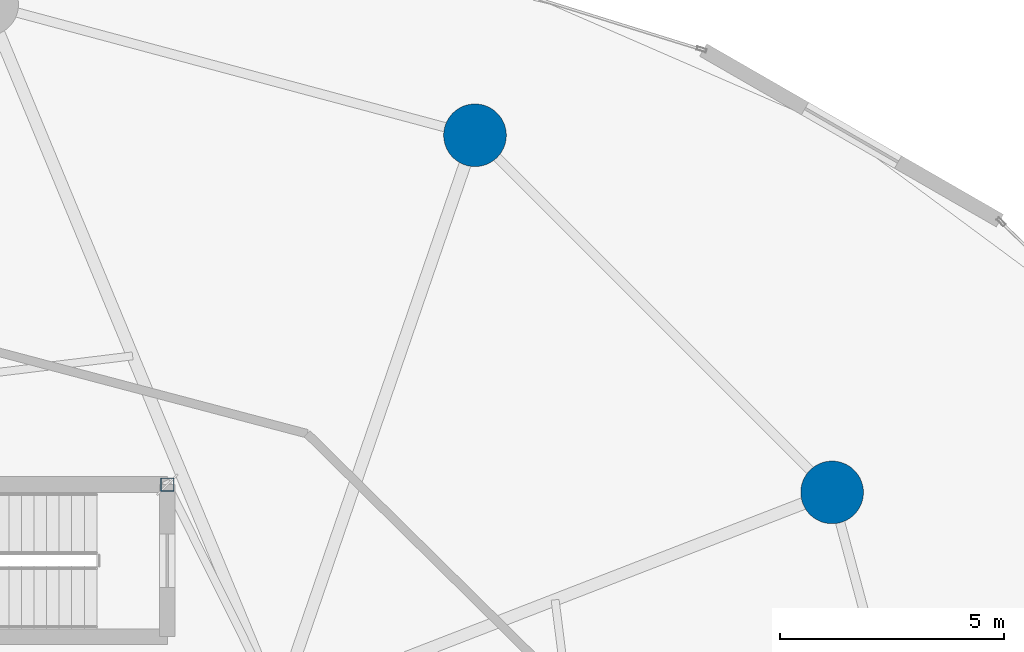
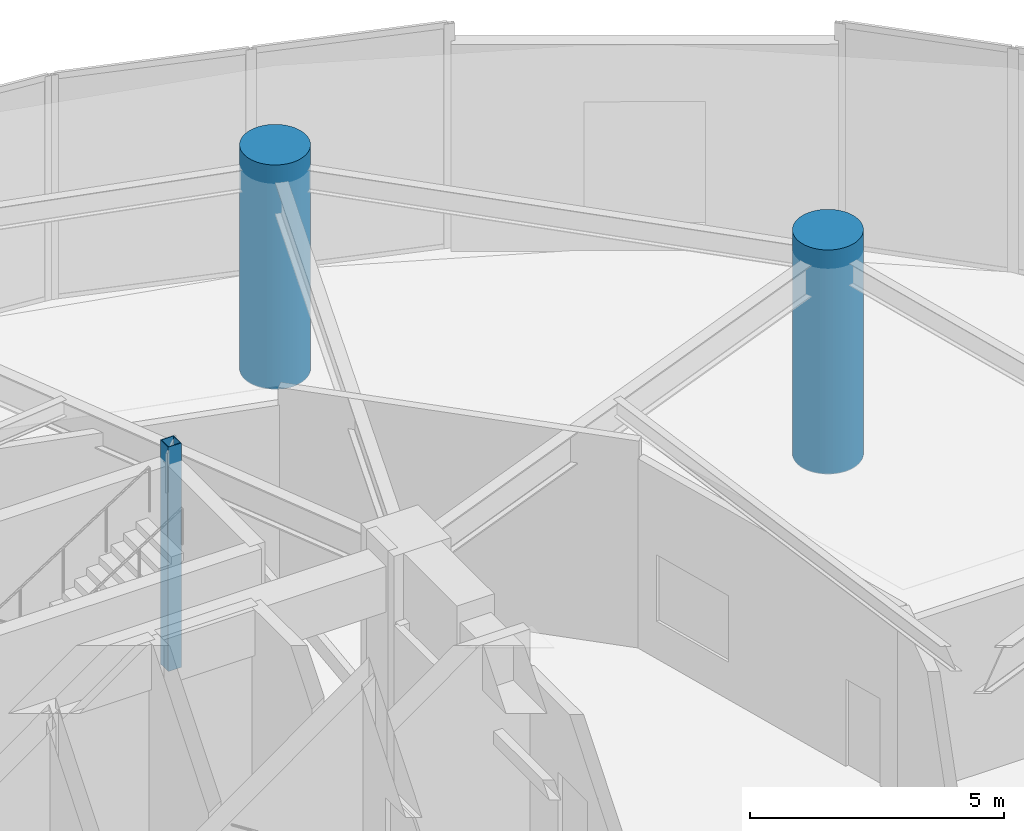
# One storey, part 3 of 29: 3 columns.
"""IFC4 building model written with IfcOpenShell, lengths in metres."""

from ifc_helpers import new_model, si_unit, direction, frame, origin, origin_2d, place, context, subcontext, project, spatial, hollow_rectangle, circle, extrude, material, material_profile, profile_set, type_object, element, save


model = new_model("IFC4")

# Units and contexts
model_context = context("Model", 3, precision=1e-05, world=origin(), true_north=direction((0.0, 1.0)))
body_context = subcontext(model_context, "Body", "Model", "MODEL_VIEW")
ifc_project = project(units=[si_unit("LENGTHUNIT", "METRE"), si_unit("AREAUNIT", "SQUARE_METRE"), si_unit("VOLUMEUNIT", "CUBIC_METRE"), si_unit("PLANEANGLEUNIT", "RADIAN"), si_unit("MASSUNIT", "GRAM", prefix="KILO")], contexts=[model_context])

# Site, building, storey
site_placement = place(None, origin())
site = spatial("IfcSite", under=ifc_project, at=site_placement, CompositionType="ELEMENT")
building_placement = place(site_placement, origin())
building = spatial("IfcBuilding", under=site, at=building_placement, Name="Solvirekh Grand Hotel", CompositionType="ELEMENT")
storey_placement = place(building_placement, frame((0.0, 0.0, 7.199951171875)))
storey = spatial("IfcBuildingStorey", under=building, at=storey_placement, Name="L01", CompositionType="ELEMENT", Elevation=7.199951171875)

# Columns
ifc_material_1 = material(Name="Concrete C60/75", Category="concrete")
ifc_material_profile_1 = material_profile(ifc_material_1, circle(Radius=0.699951171875, at=origin_2d()), Name="RC CIRC D1400")
ifc_profile_set_1 = profile_set([ifc_material_profile_1], Name="Concrete C60/75")
column_type_1 = type_object("IfcColumnType", Name="Col_Base_D1400", PredefinedType="COLUMN", material=ifc_profile_set_1)
for number, where, z_axis, x_axis, name in (
    (1, (18.87890625, 10.89990234375, 0.0), (0.0, 0.0, 1.0), (1.0, 0.0, 0.0), "L01 perimeter column P02"),
    (2, (10.89990234375, 18.87890625, 0.0), (0.0, 0.0, 1.0), (1.0, 0.0, 0.0), "L01 perimeter column P03"),
):
    element("IfcColumn", number, at=place(storey_placement, frame(where, z_axis=z_axis, x_axis=x_axis)), inside=storey, type_object=column_type_1, Name=name, PredefinedType="COLUMN", context=body_context, shape_type="SweptSolid", body=[
        extrude(circle(Radius=0.699951171875, at=origin_2d()), origin(), (0.0, 0.0, 1.0), 5.400146484375),
    ])
ifc_material_2 = material(Name="Steel S355", Category="steel")
ifc_material_profile_2 = material_profile(ifc_material_2, hollow_rectangle(XDim=0.300048828125, YDim=0.300048828125, WallThickness=0.01611328125, at=origin_2d()), Name="SHS 300X300X16")
ifc_profile_set_2 = profile_set([ifc_material_profile_2], Name="Steel S355")
column_type_2 = type_object("IfcColumnType", Name="Col_Pod_SHS300", PredefinedType="COLUMN", material=ifc_profile_set_2)
column_placement = place(storey_placement, frame((4.02490234375, 11.074951171875, 0.0), z_axis=(0.0, 0.0, 1.0), x_axis=(1.0, 0.0, 0.0)))
element("IfcColumn", 3, at=column_placement, inside=storey, type_object=column_type_2, Name="L01 podium stair enclosure post 2", PredefinedType="COLUMN", context=body_context, shape_type="SweptSolid", body=[
    extrude(hollow_rectangle(XDim=0.300048828125, YDim=0.300048828125, WallThickness=0.01611328125, at=origin_2d()), origin(), (0.0, 0.0, 1.0), 5.400146484375),
])

save(model, "model.ifc")
